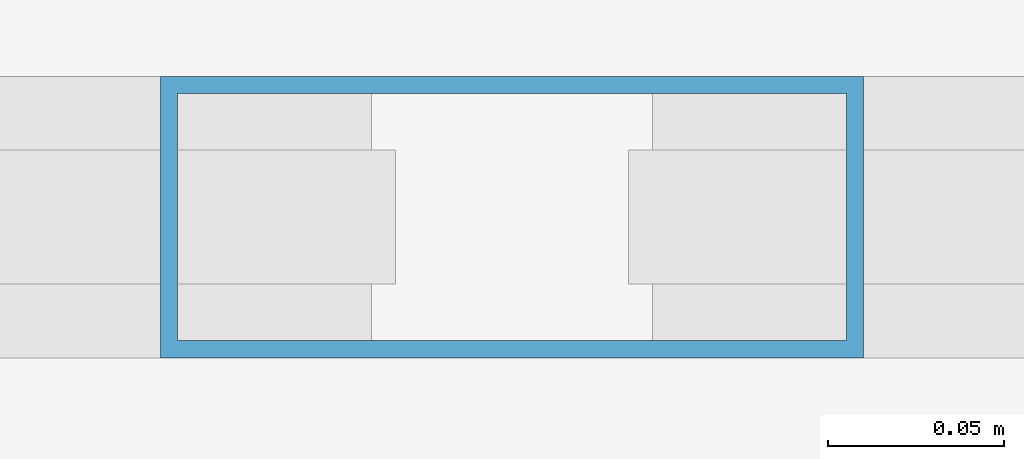
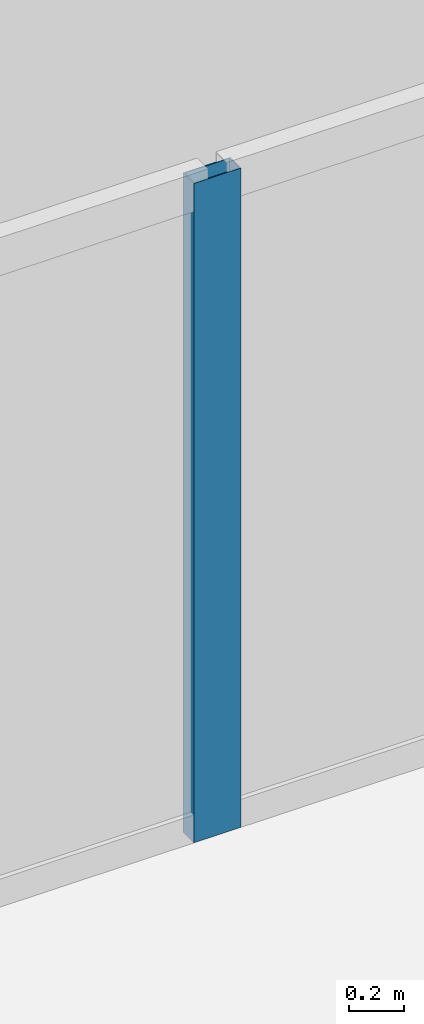
# One storey, part 12 of 21: 1 member, 1 element without a shape of its own.
"""IFC4 building model written with IfcOpenShell, lengths in metres."""

from ifc_helpers import new_model, si_unit, direction, frame, origin, origin_2d, place, context, subcontext, project, spatial, hollow_rectangle, extrude, source, transform, mapped, material, layer, layer_set, material_profile, profile_set, type_object, element, aggregate, save


model = new_model("IFC4")

# Units and contexts
model_context = context("Model", 3, precision=1e-05, world=origin(), true_north=direction((0.0, 1.0)))
body_context = subcontext(model_context, "Body", "Model", "MODEL_VIEW")
ifc_project = project(units=[si_unit("LENGTHUNIT", "METRE"), si_unit("AREAUNIT", "SQUARE_METRE"), si_unit("VOLUMEUNIT", "CUBIC_METRE"), si_unit("PLANEANGLEUNIT", "RADIAN"), si_unit("MASSUNIT", "GRAM", prefix="KILO")], contexts=[model_context])

# Site, building, storey
site_placement = place(None, origin())
site = spatial("IfcSite", under=ifc_project, at=site_placement, CompositionType="ELEMENT")
building_placement = place(site_placement, origin())
building = spatial("IfcBuilding", under=site, at=building_placement, Name="Kolveth Station Tower", CompositionType="ELEMENT")
storey_placement = place(building_placement, frame((0.0, 0.0, 99.10009765625)))
storey = spatial("IfcBuildingStorey", under=building, at=storey_placement, Name="L26", CompositionType="ELEMENT", Elevation=99.10009765625)

# Curtain wall, member
ifc_material_1 = material(Name="Aluminium 6063-T6 and low-E dark glass", Category="aluminium")
ifc_layer = layer(ifc_material_1, 0.18994140625)
ifc_layer_set = layer_set([ifc_layer], Name="Aluminium 6063-T6 and low-E dark glass")
curtain_wall_type = type_object("IfcCurtainWallType", Name="CurtainWall_CW-Z2", PredefinedType="NOTDEFINED", material=ifc_layer_set)
curtain_wall_placement = place(storey_placement, origin())
curtain_wall = element("IfcCurtainWall", 1, at=curtain_wall_placement, inside=storey, type_object=curtain_wall_type, Name="L26 Inner Thermal Curtain Wall 6", PredefinedType="NOTDEFINED")
ifc_material_2 = material(Name="Black anodized aluminium 6063-T6", Category="aluminium")
ifc_material_profile = material_profile(ifc_material_2, hollow_rectangle(XDim=0.080078125, YDim=0.199951171875, WallThickness=0.0048828125, at=origin_2d()), Name="ALU-80x200x5")
ifc_profile_set = profile_set([ifc_material_profile], Name="Black anodized aluminium 6063-T6")
member_type = type_object("IfcMemberType", Name="Mullion_ML2", PredefinedType="MULLION", material=ifc_profile_set)
shared_shape = source(origin(), body_context, "Body", "SweptSolid", [
    extrude(hollow_rectangle(XDim=0.080078125, YDim=0.199951171875, WallThickness=0.0048828125, at=origin_2d()), origin(), (0.0, 0.0, 1.0), 2.949951171875),
])
member_placement = place(storey_placement, frame((23.5, 35.179931640625, 0.0), z_axis=(0.0, 0.0, 1.0), x_axis=(0.0, -1.0, 0.0)))
member = element("IfcMember", 2, at=member_placement, type_object=member_type, Name="CW-Z2 mullion 2", PredefinedType="MULLION", context=body_context, shape_type="MappedRepresentation", body=[
    mapped(shared_shape, transform((0.0, 0.0, 0.0), x_axis=(1.0, 0.0, 0.0), y_axis=(0.0, 1.0, 0.0), z_axis=(0.0, 0.0, 1.0), scale=1.0)),
])
aggregate(curtain_wall, [member])

save(model, "model.ifc")
